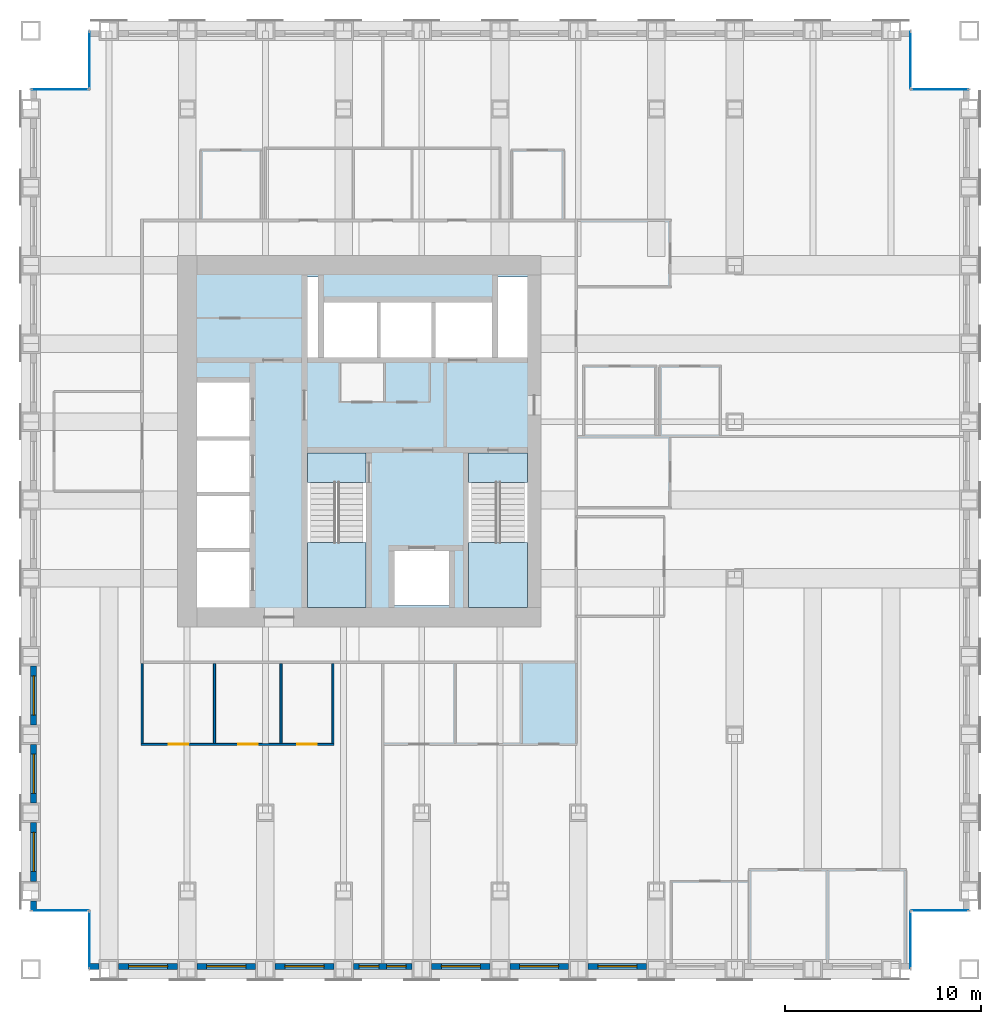
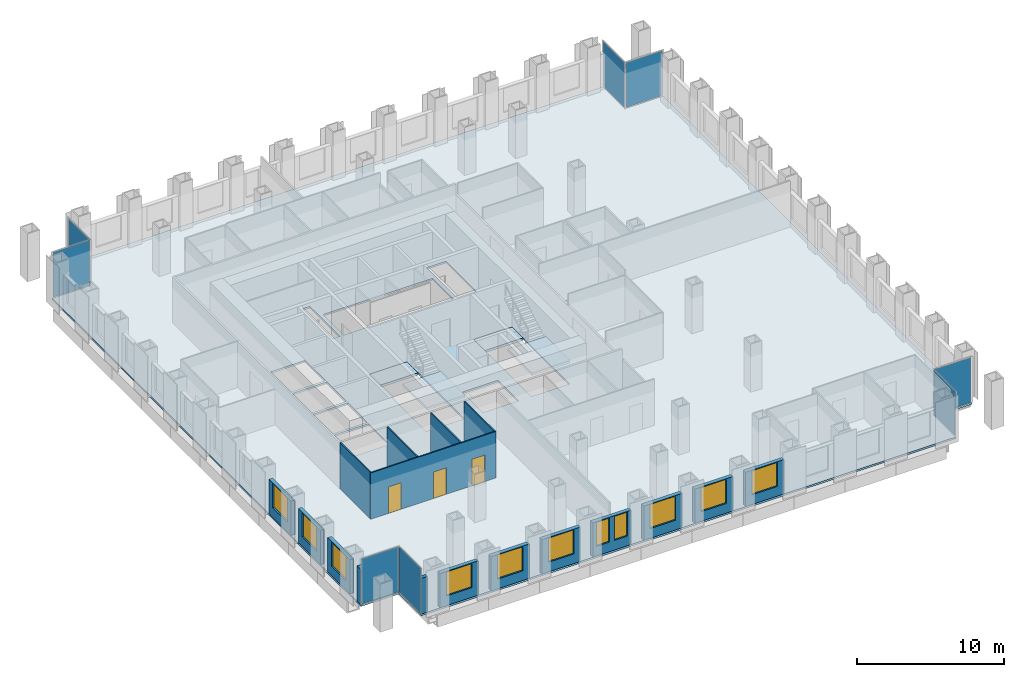
# One storey, part 10 of 16: 17 walls, 11 windows, 8 plates, 5 slabs, 3 doors, 14 openings, 10 elements without a shape of their own.
"""IFC4 building model written with IfcOpenShell, lengths in metres."""

from ifc_helpers import new_model, si_unit, direction, frame, frame_2d, origin, origin_2d, place, context, subcontext, project, spatial, polyline, rectangle, outline, extrude, material, layer, layer_set, type_object, element, fill, aggregate, save


model = new_model("IFC4")

# Units and contexts
model_context = context("Model", 3, precision=1e-05, world=origin(), true_north=direction((0.0, 1.0)))
body_context = subcontext(model_context, "Body", "Model", "MODEL_VIEW")
ifc_project = project(units=[si_unit("LENGTHUNIT", "METRE"), si_unit("AREAUNIT", "SQUARE_METRE"), si_unit("VOLUMEUNIT", "CUBIC_METRE"), si_unit("PLANEANGLEUNIT", "RADIAN"), si_unit("MASSUNIT", "GRAM", prefix="KILO")], contexts=[model_context])

# Site, building, storey
site_placement = place(None, origin())
site = spatial("IfcSite", under=ifc_project, at=site_placement, CompositionType="ELEMENT")
building_placement = place(site_placement, origin())
building = spatial("IfcBuilding", under=site, at=building_placement, Name="Rimbunsela Tower", CompositionType="ELEMENT")
storey_placement = place(building_placement, frame((0.0, 0.0, 93.39990234375)))
storey = spatial("IfcBuildingStorey", under=building, at=storey_placement, Name="L22", CompositionType="ELEMENT", Elevation=93.39990234375)

# Slab
ifc_material_1 = material(Name="Concrete fc' 35 MPa", Category="concrete")
ifc_layer_1 = layer(ifc_material_1, 0.14990234375)
ifc_layer_set_1 = layer_set([ifc_layer_1], Name="Floor slab 150")
slab_type_1 = type_object("IfcSlabType", Name="Floor slab 150", PredefinedType="FLOOR", material=ifc_layer_set_1)
slab_1_placement = place(storey_placement, frame((0.0, 0.0, -0.14990234375)))
element("IfcSlab", 1, at=slab_1_placement, inside=storey, type_object=slab_type_1, Name="Floor slab L22", PredefinedType="FLOOR", context=body_context, shape_type="SweptSolid", body=[
    extrude(outline(polyline([(13.0, 0.0), (55.0, 0.0), (55.0, 3.0), (58.0, 3.0), (58.0, 45.0), (55.0, 45.0), (55.0, 48.0), (13.0, 48.0), (13.0, 45.0), (10.0, 45.0), (10.0, 3.0), (13.0, 3.0), (13.0, 0.0)]), holes=[polyline([(21.199951171875, 21.35009765625), (18.5, 21.35009765625), (18.5, 18.5), (21.199951171875, 18.5), (21.199951171875, 21.35009765625)]), polyline([(21.199951171875, 21.550048828125), (21.199951171875, 24.199951171875), (18.5, 24.199951171875), (18.5, 21.550048828125), (21.199951171875, 21.550048828125)]), polyline([(21.199951171875, 27.050048828125), (18.5, 27.050048828125), (18.5, 24.39990234375), (21.199951171875, 24.39990234375), (21.199951171875, 27.050048828125)]), polyline([(21.199951171875, 27.25), (21.199951171875, 30.0), (18.5, 30.0), (18.5, 27.25), (21.199951171875, 27.25)]), polyline([(27.14990234375, 18.60009765625), (27.14990234375, 26.39990234375), (24.14990234375, 26.39990234375), (24.14990234375, 18.60009765625), (27.14990234375, 18.60009765625)]), polyline([(24.699951171875, 31.300048828125), (24.699951171875, 35.39990234375), (24.14990234375, 35.39990234375), (24.14990234375, 31.300048828125), (24.699951171875, 31.300048828125)]), polyline([(25.0, 34.10009765625), (25.0, 31.300048828125), (33.60009765625, 31.300048828125), (33.60009765625, 34.10009765625), (25.0, 34.10009765625)]), polyline([(31.39990234375, 21.39990234375), (28.60009765625, 21.39990234375), (28.60009765625, 18.60009765625), (31.39990234375, 18.60009765625), (31.39990234375, 21.39990234375)]), polyline([(35.39990234375, 18.60009765625), (35.39990234375, 26.39990234375), (32.39990234375, 26.39990234375), (32.39990234375, 18.60009765625), (35.39990234375, 18.60009765625)]), polyline([(35.39990234375, 31.300048828125), (35.39990234375, 35.39990234375), (33.89990234375, 35.39990234375), (33.89990234375, 31.300048828125), (35.39990234375, 31.300048828125)])]), origin(), (0.0, 0.0, 1.0), 0.14990234375),
])

# Curtain wall, plate
ifc_material_2 = material(Name="Aluminium curtain wall", Category="aluminium")
curtain_wall_type = type_object("IfcCurtainWallType", Name="Corner glazing", PredefinedType="USERDEFINED", material=ifc_material_2)
curtain_wall_1_placement = place(storey_placement, origin())
curtain_wall_1 = element("IfcCurtainWall", 2, at=curtain_wall_1_placement, inside=storey, type_object=curtain_wall_type, Name="Corner glazing L22", ObjectType="CORNER GLAZING", PredefinedType="USERDEFINED")
ifc_material_3 = material(Name="Clear double glazing", Category="glass")
ifc_layer_2 = layer(ifc_material_3, 0.028076171875)
ifc_layer_set_2 = layer_set([ifc_layer_2], Name="Glazed panel clear")
plate_type = type_object("IfcPlateType", Name="Glazed panel clear", PredefinedType="CURTAIN_PANEL", material=ifc_layer_set_2)
plate_1_placement = place(storey_placement, frame((55.0, 1.5, 0.06005859375), z_axis=(0.0, 0.0, 1.0), x_axis=(0.0, 1.0, 0.0)))
plate_1 = element("IfcPlate", 3, at=plate_1_placement, type_object=plate_type, Name="CW5 panel 1.1", PredefinedType="CURTAIN_PANEL", context=body_context, shape_type="SweptSolid", body=[
    extrude(rectangle(XDim=2.8798828125, YDim=0.028076171875, at=origin_2d()), origin(), (0.0, 0.0, 1.0), 3.72998046875),
])
aggregate(curtain_wall_1, [plate_1])

curtain_wall_2_placement = place(storey_placement, origin())
curtain_wall_2 = element("IfcCurtainWall", 4, at=curtain_wall_2_placement, inside=storey, type_object=curtain_wall_type, Name="Corner glazing L22", ObjectType="CORNER GLAZING", PredefinedType="USERDEFINED")
plate_2_placement = place(storey_placement, frame((56.5, 3.0, 0.06005859375), z_axis=(0.0, 0.0, 1.0), x_axis=(1.0, 0.0, 0.0)))
plate_2 = element("IfcPlate", 5, at=plate_2_placement, type_object=plate_type, Name="CW5 panel 1.1", PredefinedType="CURTAIN_PANEL", context=body_context, shape_type="SweptSolid", body=[
    extrude(rectangle(XDim=2.8798828125, YDim=0.028076171875, at=origin_2d()), origin(), (0.0, 0.0, 1.0), 3.72998046875),
])
aggregate(curtain_wall_2, [plate_2])

curtain_wall_3_placement = place(storey_placement, origin())
curtain_wall_3 = element("IfcCurtainWall", 6, at=curtain_wall_3_placement, inside=storey, type_object=curtain_wall_type, Name="Corner glazing L22", ObjectType="CORNER GLAZING", PredefinedType="USERDEFINED")
plate_3_placement = place(storey_placement, frame((56.5, 45.0, 0.06005859375), z_axis=(0.0, 0.0, 1.0), x_axis=(-1.0, 0.0, 0.0)))
plate_3 = element("IfcPlate", 7, at=plate_3_placement, type_object=plate_type, Name="CW5 panel 1.1", PredefinedType="CURTAIN_PANEL", context=body_context, shape_type="SweptSolid", body=[
    extrude(rectangle(XDim=2.8798828125, YDim=0.028076171875, at=origin_2d()), origin(), (0.0, 0.0, 1.0), 3.72998046875),
])
aggregate(curtain_wall_3, [plate_3])

curtain_wall_4_placement = place(storey_placement, origin())
curtain_wall_4 = element("IfcCurtainWall", 8, at=curtain_wall_4_placement, inside=storey, type_object=curtain_wall_type, Name="Corner glazing L22", ObjectType="CORNER GLAZING", PredefinedType="USERDEFINED")
plate_4_placement = place(storey_placement, frame((55.0, 46.5, 0.06005859375), z_axis=(0.0, 0.0, 1.0), x_axis=(0.0, 1.0, 0.0)))
plate_4 = element("IfcPlate", 9, at=plate_4_placement, type_object=plate_type, Name="CW5 panel 1.1", PredefinedType="CURTAIN_PANEL", context=body_context, shape_type="SweptSolid", body=[
    extrude(rectangle(XDim=2.8798828125, YDim=0.028076171875, at=origin_2d()), origin(), (0.0, 0.0, 1.0), 3.72998046875),
])
aggregate(curtain_wall_4, [plate_4])

curtain_wall_5_placement = place(storey_placement, origin())
curtain_wall_5 = element("IfcCurtainWall", 10, at=curtain_wall_5_placement, inside=storey, type_object=curtain_wall_type, Name="Corner glazing L22", ObjectType="CORNER GLAZING", PredefinedType="USERDEFINED")
plate_5_placement = place(storey_placement, frame((13.0, 46.5, 0.06005859375), z_axis=(0.0, 0.0, 1.0), x_axis=(0.0, -1.0, 0.0)))
plate_5 = element("IfcPlate", 11, at=plate_5_placement, type_object=plate_type, Name="CW5 panel 1.1", PredefinedType="CURTAIN_PANEL", context=body_context, shape_type="SweptSolid", body=[
    extrude(rectangle(XDim=2.8798828125, YDim=0.028076171875, at=origin_2d()), origin(), (0.0, 0.0, 1.0), 3.72998046875),
])
aggregate(curtain_wall_5, [plate_5])

curtain_wall_6_placement = place(storey_placement, origin())
curtain_wall_6 = element("IfcCurtainWall", 12, at=curtain_wall_6_placement, inside=storey, type_object=curtain_wall_type, Name="Corner glazing L22", ObjectType="CORNER GLAZING", PredefinedType="USERDEFINED")
plate_6_placement = place(storey_placement, frame((11.5, 45.0, 0.06005859375), z_axis=(0.0, 0.0, 1.0), x_axis=(-1.0, 0.0, 0.0)))
plate_6 = element("IfcPlate", 13, at=plate_6_placement, type_object=plate_type, Name="CW5 panel 1.1", PredefinedType="CURTAIN_PANEL", context=body_context, shape_type="SweptSolid", body=[
    extrude(rectangle(XDim=2.8798828125, YDim=0.028076171875, at=origin_2d()), origin(), (0.0, 0.0, 1.0), 3.72998046875),
])
aggregate(curtain_wall_6, [plate_6])

curtain_wall_7_placement = place(storey_placement, origin())
curtain_wall_7 = element("IfcCurtainWall", 14, at=curtain_wall_7_placement, inside=storey, type_object=curtain_wall_type, Name="Corner glazing L22", ObjectType="CORNER GLAZING", PredefinedType="USERDEFINED")
plate_7_placement = place(storey_placement, frame((11.5, 3.0, 0.06005859375), z_axis=(0.0, 0.0, 1.0), x_axis=(1.0, 0.0, 0.0)))
plate_7 = element("IfcPlate", 15, at=plate_7_placement, type_object=plate_type, Name="CW5 panel 1.1", PredefinedType="CURTAIN_PANEL", context=body_context, shape_type="SweptSolid", body=[
    extrude(rectangle(XDim=2.8798828125, YDim=0.028076171875, at=origin_2d()), origin(), (0.0, 0.0, 1.0), 3.72998046875),
])
aggregate(curtain_wall_7, [plate_7])

curtain_wall_8_placement = place(storey_placement, origin())
curtain_wall_8 = element("IfcCurtainWall", 16, at=curtain_wall_8_placement, inside=storey, type_object=curtain_wall_type, Name="Corner glazing L22", ObjectType="CORNER GLAZING", PredefinedType="USERDEFINED")
plate_8_placement = place(storey_placement, frame((13.0, 1.5, 0.06005859375), z_axis=(0.0, 0.0, 1.0), x_axis=(0.0, -1.0, 0.0)))
plate_8 = element("IfcPlate", 17, at=plate_8_placement, type_object=plate_type, Name="CW5 panel 1.1", PredefinedType="CURTAIN_PANEL", context=body_context, shape_type="SweptSolid", body=[
    extrude(rectangle(XDim=2.8798828125, YDim=0.028076171875, at=origin_2d()), origin(), (0.0, 0.0, 1.0), 3.72998046875),
])
aggregate(curtain_wall_8, [plate_8])

# Stair, slabs
ifc_material_4 = material(Name="Concrete fc' 35 MPa", Category="concrete")
stair_type = type_object("IfcStairType", Name="Exit stair 24 risers", PredefinedType="HALF_TURN_STAIR", material=ifc_material_4)
stair_1_placement = place(storey_placement, origin())
stair_1 = element("IfcStair", 18, at=stair_1_placement, inside=storey, type_object=stair_type, Name="Exit stair A L22", PredefinedType="HALF_TURN_STAIR")
ifc_material_5 = material(Name="Concrete fc' 35 MPa", Category="concrete")
ifc_layer_3 = layer(ifc_material_5, 0.199951171875)
ifc_layer_set_3 = layer_set([ifc_layer_3], Name="Stair landing 200")
slab_type_2 = type_object("IfcSlabType", Name="Stair landing 200", PredefinedType="LANDING", material=ifc_layer_set_3)
slab_2_placement = place(storey_placement, frame((0.0, 0.0, -0.199951171875)))
slab_2 = element("IfcSlab", 19, at=slab_2_placement, type_object=slab_type_2, Name="ST-A landing 1", PredefinedType="LANDING", context=body_context, shape_type="SweptSolid", body=[
    extrude(outline(polyline([(24.14990234375, 24.89990234375), (27.14990234375, 24.89990234375), (27.14990234375, 26.39990234375), (24.14990234375, 26.39990234375), (24.14990234375, 24.89990234375)])), origin(), (0.0, 0.0, 1.0), 0.199951171875),
])
slab_3_placement = place(storey_placement, frame((0.0, 0.0, 1.800048828125)))
slab_3 = element("IfcSlab", 20, at=slab_3_placement, type_object=slab_type_2, Name="ST-A landing 2", PredefinedType="LANDING", context=body_context, shape_type="SweptSolid", body=[
    extrude(outline(polyline([(24.14990234375, 18.5), (27.14990234375, 18.5), (27.14990234375, 21.820068359375), (24.14990234375, 21.820068359375), (24.14990234375, 18.5)])), origin(), (0.0, 0.0, 1.0), 0.199951171875),
])
aggregate(stair_1, [slab_2, slab_3])

stair_2_placement = place(storey_placement, origin())
stair_2 = element("IfcStair", 21, at=stair_2_placement, inside=storey, type_object=stair_type, Name="Exit stair B L22", PredefinedType="HALF_TURN_STAIR")
slab_4_placement = place(storey_placement, frame((0.0, 0.0, -0.199951171875)))
slab_4 = element("IfcSlab", 22, at=slab_4_placement, type_object=slab_type_2, Name="ST-B landing 1", PredefinedType="LANDING", context=body_context, shape_type="SweptSolid", body=[
    extrude(outline(polyline([(32.39990234375, 24.89990234375), (35.39990234375, 24.89990234375), (35.39990234375, 26.39990234375), (32.39990234375, 26.39990234375), (32.39990234375, 24.89990234375)])), origin(), (0.0, 0.0, 1.0), 0.199951171875),
])
slab_5_placement = place(storey_placement, frame((0.0, 0.0, 1.800048828125)))
slab_5 = element("IfcSlab", 23, at=slab_5_placement, type_object=slab_type_2, Name="ST-B landing 2", PredefinedType="LANDING", context=body_context, shape_type="SweptSolid", body=[
    extrude(outline(polyline([(32.39990234375, 18.5), (35.39990234375, 18.5), (35.39990234375, 21.820068359375), (32.39990234375, 21.820068359375), (32.39990234375, 18.5)])), origin(), (0.0, 0.0, 1.0), 0.199951171875),
])
aggregate(stair_2, [slab_4, slab_5])

# Wall, openings, doors
ifc_material_6 = material(Name="Gypsum board on steel studs", Category="steel")
ifc_layer_4 = layer(ifc_material_6, 0.10009765625)
ifc_layer_set_4 = layer_set([ifc_layer_4], Name="Office partition 100")
wall_type_1 = type_object("IfcWallType", Name="Office partition 100", PredefinedType="PARTITIONING", material=ifc_layer_set_4)
wall_1_placement = place(storey_placement, frame((15.64990234375, 11.5, 0.0), z_axis=(0.0, 0.0, 1.0), x_axis=(1.0, 0.0, 0.0)))
wall_1 = element("IfcWall", 24, at=wall_1_placement, inside=storey, type_object=wall_type_1, Name="Office partition", PredefinedType="PARTITIONING", context=body_context, shape_type="SweptSolid", body=[
    extrude(rectangle(XDim=9.85009765625, YDim=0.10009765625, at=frame_2d((4.925048828125, 0.0))), origin(), (0.0, 0.0, 1.0), 3.85009765625),
])
opening_1_placement = place(wall_1_placement, frame((1.39990234375, 0.0, 0.0)))
opening_1 = element("IfcOpeningElement", 25, at=opening_1_placement, cuts=wall_1, Name="Opening D17", PredefinedType="OPENING", context=body_context, shape_type="SweptSolid", body=[
    extrude(rectangle(XDim=1.0, YDim=2.199951171875, at=frame_2d((0.5, 1.10009765625))), frame((0.0, 0.06005859375, 0.0), z_axis=(0.0, -1.0, 0.0), x_axis=(1.0, 0.0, 0.0)), (0.0, 0.0, 1.0), 0.1201171875),
])
opening_2_placement = place(wall_1_placement, frame((4.949951171875, 0.0, 0.0)))
opening_2 = element("IfcOpeningElement", 26, at=opening_2_placement, cuts=wall_1, Name="Opening D16", PredefinedType="OPENING", context=body_context, shape_type="SweptSolid", body=[
    extrude(rectangle(XDim=1.0, YDim=2.199951171875, at=frame_2d((0.5, 1.10009765625))), frame((0.0, 0.06005859375, 0.0), z_axis=(0.0, -1.0, 0.0), x_axis=(1.0, 0.0, 0.0)), (0.0, 0.0, 1.0), 0.1201171875),
])
opening_3_placement = place(wall_1_placement, frame((7.97509765625, 0.0, 0.0)))
opening_3 = element("IfcOpeningElement", 27, at=opening_3_placement, cuts=wall_1, Name="Opening D16", PredefinedType="OPENING", context=body_context, shape_type="SweptSolid", body=[
    extrude(rectangle(XDim=1.0, YDim=2.199951171875, at=frame_2d((0.5, 1.10009765625))), frame((0.0, 0.06005859375, 0.0), z_axis=(0.0, -1.0, 0.0), x_axis=(1.0, 0.0, 0.0)), (0.0, 0.0, 1.0), 0.1201171875),
])
ifc_material_7 = material(Name="Glazed aluminium door", Category="aluminium")
door_type_1 = type_object("IfcDoorType", Name="Meeting room door 1000 glazed", OperationType="SINGLE_SWING_RIGHT", PredefinedType="DOOR", material=ifc_material_7)
door_1_placement = place(opening_1_placement, origin())
door_1 = element("IfcDoor", 28, at=door_1_placement, inside=storey, type_object=door_type_1, Name="Meeting room door", OperationType="SINGLE_SWING_RIGHT", OverallHeight=2.199951171875, OverallWidth=1.0, PredefinedType="DOOR", context=body_context, shape_type="SweptSolid", body=[
    extrude(rectangle(XDim=1.0, YDim=2.199951171875, at=frame_2d((0.5, 1.10009765625))), frame((0.0, 0.02490234375, 0.0), z_axis=(0.0, -1.0, 0.0), x_axis=(1.0, 0.0, 0.0)), (0.0, 0.0, 1.0), 0.050048828125),
])
fill(opening_1, door_1)
ifc_material_8 = material(Name="Timber door", Category="wood")
door_type_2 = type_object("IfcDoorType", Name="Office door 1000", OperationType="SINGLE_SWING_LEFT", PredefinedType="DOOR", material=ifc_material_8)
door_2_placement = place(opening_2_placement, origin())
door_2 = element("IfcDoor", 29, at=door_2_placement, inside=storey, type_object=door_type_2, Name="Office door", OperationType="SINGLE_SWING_LEFT", OverallHeight=2.199951171875, OverallWidth=1.0, PredefinedType="DOOR", context=body_context, shape_type="SweptSolid", body=[
    extrude(rectangle(XDim=1.0, YDim=2.199951171875, at=frame_2d((0.5, 1.10009765625))), frame((0.0, 0.02490234375, 0.0), z_axis=(0.0, -1.0, 0.0), x_axis=(1.0, 0.0, 0.0)), (0.0, 0.0, 1.0), 0.050048828125),
])
fill(opening_2, door_2)
door_3_placement = place(opening_3_placement, origin())
door_3 = element("IfcDoor", 30, at=door_3_placement, inside=storey, type_object=door_type_2, Name="Office door", OperationType="SINGLE_SWING_LEFT", OverallHeight=2.199951171875, OverallWidth=1.0, PredefinedType="DOOR", context=body_context, shape_type="SweptSolid", body=[
    extrude(rectangle(XDim=1.0, YDim=2.199951171875, at=frame_2d((0.5, 1.10009765625))), frame((0.0, 0.02490234375, 0.0), z_axis=(0.0, -1.0, 0.0), x_axis=(1.0, 0.0, 0.0)), (0.0, 0.0, 1.0), 0.050048828125),
])
fill(opening_3, door_3)

# Walls
for number, where, z_axis, x_axis, name in (
    (31, (15.699951171875, 11.550048828125, 0.0), (0.0, 0.0, 1.0), (0.0, 1.0, 0.0), "Office partition"),
    (32, (19.39990234375, 11.550048828125, 0.0), (0.0, 0.0, 1.0), (0.0, 1.0, 0.0), "Office partition"),
    (33, (22.800048828125, 11.550048828125, 0.0), (0.0, 0.0, 1.0), (0.0, 1.0, 0.0), "Office partition"),
    (34, (25.449951171875, 11.550048828125, 0.0), (0.0, 0.0, 1.0), (0.0, 1.0, 0.0), "Office partition"),
):
    element("IfcWall", number, at=place(storey_placement, frame(where, z_axis=z_axis, x_axis=x_axis)), inside=storey, type_object=wall_type_1, Name=name, PredefinedType="PARTITIONING", context=body_context, shape_type="SweptSolid", body=[
        extrude(rectangle(XDim=4.074951171875, YDim=0.10009765625, at=frame_2d((2.03759765625, 0.0))), origin(), (0.0, 0.0, 1.0), 3.85009765625),
    ])
ifc_material_9 = material(Name="Precast concrete fc' 35 MPa", Category="concrete")
ifc_layer_5 = layer(ifc_material_9, 0.300048828125)
ifc_layer_set_5 = layer_set([ifc_layer_5], Name="Precast concrete fc' 35 MPa")
wall_type_2 = type_object("IfcWallType", Name="Precast facade panel 300", PredefinedType="ELEMENTEDWALL", material=ifc_layer_set_5)
wall_2_placement = place(storey_placement, frame((13.030029296875, 0.14990234375, 0.0), z_axis=(0.0, 0.0, 1.0), x_axis=(1.0, 0.0, 0.0)))
element("IfcWall", 35, at=wall_2_placement, inside=storey, type_object=wall_type_2, Name="Facade panel S L22", PredefinedType="ELEMENTEDWALL", context=body_context, shape_type="SweptSolid", body=[
    extrude(rectangle(XDim=0.469970703125, YDim=0.300048828125, at=frame_2d((0.23486328125, 0.0))), origin(), (0.0, 0.0, 1.0), 2.9501953125),
])

# Wall, opening, window
wall_3_placement = place(storey_placement, frame((14.5, 0.14990234375, 0.0), z_axis=(0.0, 0.0, 1.0), x_axis=(1.0, 0.0, 0.0)))
wall_3 = element("IfcWall", 36, at=wall_3_placement, inside=storey, type_object=wall_type_2, Name="Facade panel S L22", PredefinedType="ELEMENTEDWALL", context=body_context, shape_type="SweptSolid", body=[
    extrude(rectangle(XDim=3.0, YDim=0.300048828125, at=frame_2d((1.5, 0.0))), origin(), (0.0, 0.0, 1.0), 2.85009765625),
])
opening_4_placement = place(wall_3_placement, frame((0.5, 0.0, 0.800048828125)))
opening_4 = element("IfcOpeningElement", 37, at=opening_4_placement, cuts=wall_3, Name="Opening W1", PredefinedType="OPENING", context=body_context, shape_type="SweptSolid", body=[
    extrude(rectangle(XDim=2.0, YDim=2.0, at=frame_2d((1.0, 1.0))), frame((0.0, 0.159912109375, 0.0), z_axis=(0.0, -1.0, 0.0), x_axis=(1.0, 0.0, 0.0)), (0.0, 0.0, 1.0), 0.320068359375),
])
ifc_material_10 = material(Name="Clear glass in aluminium frame", Category="aluminium")
window_type_1 = type_object("IfcWindowType", Name="Window W1 2000x2000", PartitioningType="DOUBLE_PANEL_VERTICAL", PredefinedType="WINDOW", material=ifc_material_10)
window_1_placement = place(opening_4_placement, origin())
window_1 = element("IfcWindow", 38, at=window_1_placement, inside=storey, type_object=window_type_1, Name="Window L22", OverallHeight=2.0, OverallWidth=2.0, PartitioningType="SINGLE_PANEL", PredefinedType="WINDOW", context=body_context, shape_type="SweptSolid", body=[
    extrude(rectangle(XDim=2.0, YDim=2.0, at=frame_2d((1.0, 1.0))), frame((0.0, 0.030029296875, 0.0), z_axis=(0.0, -1.0, 0.0), x_axis=(1.0, 0.0, 0.0)), (0.0, 0.0, 1.0), 0.06005859375),
])
fill(opening_4, window_1)

wall_4_placement = place(storey_placement, frame((18.5, 0.14990234375, 0.0), z_axis=(0.0, 0.0, 1.0), x_axis=(1.0, 0.0, 0.0)))
wall_4 = element("IfcWall", 39, at=wall_4_placement, inside=storey, type_object=wall_type_2, Name="Facade panel S L22", PredefinedType="ELEMENTEDWALL", context=body_context, shape_type="SweptSolid", body=[
    extrude(rectangle(XDim=3.0, YDim=0.300048828125, at=frame_2d((1.5, 0.0))), origin(), (0.0, 0.0, 1.0), 2.85009765625),
])
opening_5_placement = place(wall_4_placement, frame((0.5, 0.0, 0.800048828125)))
opening_5 = element("IfcOpeningElement", 40, at=opening_5_placement, cuts=wall_4, Name="Opening W1", PredefinedType="OPENING", context=body_context, shape_type="SweptSolid", body=[
    extrude(rectangle(XDim=2.0, YDim=2.0, at=frame_2d((1.0, 1.0))), frame((0.0, 0.159912109375, 0.0), z_axis=(0.0, -1.0, 0.0), x_axis=(1.0, 0.0, 0.0)), (0.0, 0.0, 1.0), 0.320068359375),
])
window_2_placement = place(opening_5_placement, origin())
window_2 = element("IfcWindow", 41, at=window_2_placement, inside=storey, type_object=window_type_1, Name="Window L22", OverallHeight=2.0, OverallWidth=2.0, PartitioningType="SINGLE_PANEL", PredefinedType="WINDOW", context=body_context, shape_type="SweptSolid", body=[
    extrude(rectangle(XDim=2.0, YDim=2.0, at=frame_2d((1.0, 1.0))), frame((0.0, 0.030029296875, 0.0), z_axis=(0.0, -1.0, 0.0), x_axis=(1.0, 0.0, 0.0)), (0.0, 0.0, 1.0), 0.06005859375),
])
fill(opening_5, window_2)

wall_5_placement = place(storey_placement, frame((22.5, 0.14990234375, 0.0), z_axis=(0.0, 0.0, 1.0), x_axis=(1.0, 0.0, 0.0)))
wall_5 = element("IfcWall", 42, at=wall_5_placement, inside=storey, type_object=wall_type_2, Name="Facade panel S L22", PredefinedType="ELEMENTEDWALL", context=body_context, shape_type="SweptSolid", body=[
    extrude(rectangle(XDim=3.0, YDim=0.300048828125, at=frame_2d((1.5, 0.0))), origin(), (0.0, 0.0, 1.0), 2.85009765625),
])
opening_6_placement = place(wall_5_placement, frame((0.5, 0.0, 0.800048828125)))
opening_6 = element("IfcOpeningElement", 43, at=opening_6_placement, cuts=wall_5, Name="Opening W1", PredefinedType="OPENING", context=body_context, shape_type="SweptSolid", body=[
    extrude(rectangle(XDim=2.0, YDim=2.0, at=frame_2d((1.0, 1.0))), frame((0.0, 0.159912109375, 0.0), z_axis=(0.0, -1.0, 0.0), x_axis=(1.0, 0.0, 0.0)), (0.0, 0.0, 1.0), 0.320068359375),
])
window_3_placement = place(opening_6_placement, origin())
window_3 = element("IfcWindow", 44, at=window_3_placement, inside=storey, type_object=window_type_1, Name="Window L22", OverallHeight=2.0, OverallWidth=2.0, PartitioningType="SINGLE_PANEL", PredefinedType="WINDOW", context=body_context, shape_type="SweptSolid", body=[
    extrude(rectangle(XDim=2.0, YDim=2.0, at=frame_2d((1.0, 1.0))), frame((0.0, 0.030029296875, 0.0), z_axis=(0.0, -1.0, 0.0), x_axis=(1.0, 0.0, 0.0)), (0.0, 0.0, 1.0), 0.06005859375),
])
fill(opening_6, window_3)

# Wall, openings, windows
wall_6_placement = place(storey_placement, frame((26.5, 0.14990234375, 0.0), z_axis=(0.0, 0.0, 1.0), x_axis=(1.0, 0.0, 0.0)))
wall_6 = element("IfcWall", 45, at=wall_6_placement, inside=storey, type_object=wall_type_2, Name="Facade panel S L22", PredefinedType="ELEMENTEDWALL", context=body_context, shape_type="SweptSolid", body=[
    extrude(rectangle(XDim=3.0, YDim=0.300048828125, at=frame_2d((1.5, 0.0))), origin(), (0.0, 0.0, 1.0), 2.85009765625),
])
opening_7_placement = place(wall_6_placement, frame((0.300048828125, 0.0, 0.800048828125)))
opening_7 = element("IfcOpeningElement", 46, at=opening_7_placement, cuts=wall_6, Name="Opening W5", PredefinedType="OPENING", context=body_context, shape_type="SweptSolid", body=[
    extrude(rectangle(XDim=1.0, YDim=2.0, at=frame_2d((0.5, 1.0))), frame((0.0, 0.159912109375, 0.0), z_axis=(0.0, -1.0, 0.0), x_axis=(1.0, 0.0, 0.0)), (0.0, 0.0, 1.0), 0.320068359375),
])
opening_8_placement = place(wall_6_placement, frame((1.699951171875, 0.0, 0.800048828125)))
opening_8 = element("IfcOpeningElement", 47, at=opening_8_placement, cuts=wall_6, Name="Opening W5", PredefinedType="OPENING", context=body_context, shape_type="SweptSolid", body=[
    extrude(rectangle(XDim=1.0, YDim=2.0, at=frame_2d((0.5, 1.0))), frame((0.0, 0.159912109375, 0.0), z_axis=(0.0, -1.0, 0.0), x_axis=(1.0, 0.0, 0.0)), (0.0, 0.0, 1.0), 0.320068359375),
])
ifc_material_11 = material(Name="Clear glass in aluminium frame", Category="aluminium")
window_type_2 = type_object("IfcWindowType", Name="Window W5 1000x2000", PartitioningType="SINGLE_PANEL", PredefinedType="WINDOW", material=ifc_material_11)
window_4_placement = place(opening_7_placement, origin())
window_4 = element("IfcWindow", 48, at=window_4_placement, inside=storey, type_object=window_type_2, Name="Window L22", OverallHeight=2.0, OverallWidth=1.0, PartitioningType="SINGLE_PANEL", PredefinedType="WINDOW", context=body_context, shape_type="SweptSolid", body=[
    extrude(rectangle(XDim=1.0, YDim=2.0, at=frame_2d((0.5, 1.0))), frame((0.0, 0.030029296875, 0.0), z_axis=(0.0, -1.0, 0.0), x_axis=(1.0, 0.0, 0.0)), (0.0, 0.0, 1.0), 0.06005859375),
])
fill(opening_7, window_4)
window_5_placement = place(opening_8_placement, origin())
window_5 = element("IfcWindow", 49, at=window_5_placement, inside=storey, type_object=window_type_2, Name="Window L22", OverallHeight=2.0, OverallWidth=1.0, PartitioningType="SINGLE_PANEL", PredefinedType="WINDOW", context=body_context, shape_type="SweptSolid", body=[
    extrude(rectangle(XDim=1.0, YDim=2.0, at=frame_2d((0.5, 1.0))), frame((0.0, 0.030029296875, 0.0), z_axis=(0.0, -1.0, 0.0), x_axis=(1.0, 0.0, 0.0)), (0.0, 0.0, 1.0), 0.06005859375),
])
fill(opening_8, window_5)

# Wall, opening, window
wall_7_placement = place(storey_placement, frame((30.5, 0.14990234375, 0.0), z_axis=(0.0, 0.0, 1.0), x_axis=(1.0, 0.0, 0.0)))
wall_7 = element("IfcWall", 50, at=wall_7_placement, inside=storey, type_object=wall_type_2, Name="Facade panel S L22", PredefinedType="ELEMENTEDWALL", context=body_context, shape_type="SweptSolid", body=[
    extrude(rectangle(XDim=3.0, YDim=0.300048828125, at=frame_2d((1.5, 0.0))), origin(), (0.0, 0.0, 1.0), 2.85009765625),
])
opening_9_placement = place(wall_7_placement, frame((0.5, 0.0, 0.800048828125)))
opening_9 = element("IfcOpeningElement", 51, at=opening_9_placement, cuts=wall_7, Name="Opening W1", PredefinedType="OPENING", context=body_context, shape_type="SweptSolid", body=[
    extrude(rectangle(XDim=2.0, YDim=2.0, at=frame_2d((1.0, 1.0))), frame((0.0, 0.159912109375, 0.0), z_axis=(0.0, -1.0, 0.0), x_axis=(1.0, 0.0, 0.0)), (0.0, 0.0, 1.0), 0.320068359375),
])
window_6_placement = place(opening_9_placement, origin())
window_6 = element("IfcWindow", 52, at=window_6_placement, inside=storey, type_object=window_type_1, Name="Window L22", OverallHeight=2.0, OverallWidth=2.0, PartitioningType="SINGLE_PANEL", PredefinedType="WINDOW", context=body_context, shape_type="SweptSolid", body=[
    extrude(rectangle(XDim=2.0, YDim=2.0, at=frame_2d((1.0, 1.0))), frame((0.0, 0.030029296875, 0.0), z_axis=(0.0, -1.0, 0.0), x_axis=(1.0, 0.0, 0.0)), (0.0, 0.0, 1.0), 0.06005859375),
])
fill(opening_9, window_6)

wall_8_placement = place(storey_placement, frame((34.5, 0.14990234375, 0.0), z_axis=(0.0, 0.0, 1.0), x_axis=(1.0, 0.0, 0.0)))
wall_8 = element("IfcWall", 53, at=wall_8_placement, inside=storey, type_object=wall_type_2, Name="Facade panel S L22", PredefinedType="ELEMENTEDWALL", context=body_context, shape_type="SweptSolid", body=[
    extrude(rectangle(XDim=3.0, YDim=0.300048828125, at=frame_2d((1.5, 0.0))), origin(), (0.0, 0.0, 1.0), 2.85009765625),
])
opening_10_placement = place(wall_8_placement, frame((0.5, 0.0, 0.800048828125)))
opening_10 = element("IfcOpeningElement", 54, at=opening_10_placement, cuts=wall_8, Name="Opening W1", PredefinedType="OPENING", context=body_context, shape_type="SweptSolid", body=[
    extrude(rectangle(XDim=2.0, YDim=2.0, at=frame_2d((1.0, 1.0))), frame((0.0, 0.159912109375, 0.0), z_axis=(0.0, -1.0, 0.0), x_axis=(1.0, 0.0, 0.0)), (0.0, 0.0, 1.0), 0.320068359375),
])
window_7_placement = place(opening_10_placement, origin())
window_7 = element("IfcWindow", 55, at=window_7_placement, inside=storey, type_object=window_type_1, Name="Window L22", OverallHeight=2.0, OverallWidth=2.0, PartitioningType="SINGLE_PANEL", PredefinedType="WINDOW", context=body_context, shape_type="SweptSolid", body=[
    extrude(rectangle(XDim=2.0, YDim=2.0, at=frame_2d((1.0, 1.0))), frame((0.0, 0.030029296875, 0.0), z_axis=(0.0, -1.0, 0.0), x_axis=(1.0, 0.0, 0.0)), (0.0, 0.0, 1.0), 0.06005859375),
])
fill(opening_10, window_7)

wall_9_placement = place(storey_placement, frame((38.5, 0.14990234375, 0.0), z_axis=(0.0, 0.0, 1.0), x_axis=(1.0, 0.0, 0.0)))
wall_9 = element("IfcWall", 56, at=wall_9_placement, inside=storey, type_object=wall_type_2, Name="Facade panel S L22", PredefinedType="ELEMENTEDWALL", context=body_context, shape_type="SweptSolid", body=[
    extrude(rectangle(XDim=3.0, YDim=0.300048828125, at=frame_2d((1.5, 0.0))), origin(), (0.0, 0.0, 1.0), 2.85009765625),
])
opening_11_placement = place(wall_9_placement, frame((0.5, 0.0, 0.800048828125)))
opening_11 = element("IfcOpeningElement", 57, at=opening_11_placement, cuts=wall_9, Name="Opening W1", PredefinedType="OPENING", context=body_context, shape_type="SweptSolid", body=[
    extrude(rectangle(XDim=2.0, YDim=2.0, at=frame_2d((1.0, 1.0))), frame((0.0, 0.159912109375, 0.0), z_axis=(0.0, -1.0, 0.0), x_axis=(1.0, 0.0, 0.0)), (0.0, 0.0, 1.0), 0.320068359375),
])
window_8_placement = place(opening_11_placement, origin())
window_8 = element("IfcWindow", 58, at=window_8_placement, inside=storey, type_object=window_type_1, Name="Window L22", OverallHeight=2.0, OverallWidth=2.0, PartitioningType="SINGLE_PANEL", PredefinedType="WINDOW", context=body_context, shape_type="SweptSolid", body=[
    extrude(rectangle(XDim=2.0, YDim=2.0, at=frame_2d((1.0, 1.0))), frame((0.0, 0.030029296875, 0.0), z_axis=(0.0, -1.0, 0.0), x_axis=(1.0, 0.0, 0.0)), (0.0, 0.0, 1.0), 0.06005859375),
])
fill(opening_11, window_8)

# Wall
wall_10_placement = place(storey_placement, frame((10.14990234375, 3.5, 0.0), z_axis=(0.0, 0.0, 1.0), x_axis=(0.0, -1.0, 0.0)))
element("IfcWall", 59, at=wall_10_placement, inside=storey, type_object=wall_type_2, Name="Facade panel W L22", PredefinedType="ELEMENTEDWALL", context=body_context, shape_type="SweptSolid", body=[
    extrude(rectangle(XDim=0.469970703125, YDim=0.300048828125, at=frame_2d((0.23486328125, 0.0))), origin(), (0.0, 0.0, 1.0), 2.9501953125),
])

# Wall, opening, window
wall_11_placement = place(storey_placement, frame((10.14990234375, 7.5, 0.0), z_axis=(0.0, 0.0, 1.0), x_axis=(0.0, -1.0, 0.0)))
wall_11 = element("IfcWall", 60, at=wall_11_placement, inside=storey, type_object=wall_type_2, Name="Facade panel W L22", PredefinedType="ELEMENTEDWALL", context=body_context, shape_type="SweptSolid", body=[
    extrude(rectangle(XDim=3.0, YDim=0.300048828125, at=frame_2d((1.5, 0.0))), origin(), (0.0, 0.0, 1.0), 2.85009765625),
])
opening_12_placement = place(wall_11_placement, frame((0.5, 0.0, 0.800048828125)))
opening_12 = element("IfcOpeningElement", 61, at=opening_12_placement, cuts=wall_11, Name="Opening W1", PredefinedType="OPENING", context=body_context, shape_type="SweptSolid", body=[
    extrude(rectangle(XDim=2.0, YDim=2.0, at=frame_2d((1.0, 1.0))), frame((0.0, 0.159912109375, 0.0), z_axis=(0.0, -1.0, 0.0), x_axis=(1.0, 0.0, 0.0)), (0.0, 0.0, 1.0), 0.320068359375),
])
window_9_placement = place(opening_12_placement, origin())
window_9 = element("IfcWindow", 62, at=window_9_placement, inside=storey, type_object=window_type_1, Name="Window L22", OverallHeight=2.0, OverallWidth=2.0, PartitioningType="SINGLE_PANEL", PredefinedType="WINDOW", context=body_context, shape_type="SweptSolid", body=[
    extrude(rectangle(XDim=2.0, YDim=2.0, at=frame_2d((1.0, 1.0))), frame((0.0, 0.030029296875, 0.0), z_axis=(0.0, -1.0, 0.0), x_axis=(1.0, 0.0, 0.0)), (0.0, 0.0, 1.0), 0.06005859375),
])
fill(opening_12, window_9)

wall_12_placement = place(storey_placement, frame((10.14990234375, 11.5, 0.0), z_axis=(0.0, 0.0, 1.0), x_axis=(0.0, -1.0, 0.0)))
wall_12 = element("IfcWall", 63, at=wall_12_placement, inside=storey, type_object=wall_type_2, Name="Facade panel W L22", PredefinedType="ELEMENTEDWALL", context=body_context, shape_type="SweptSolid", body=[
    extrude(rectangle(XDim=3.0, YDim=0.300048828125, at=frame_2d((1.5, 0.0))), origin(), (0.0, 0.0, 1.0), 2.85009765625),
])
opening_13_placement = place(wall_12_placement, frame((0.5, 0.0, 0.800048828125)))
opening_13 = element("IfcOpeningElement", 64, at=opening_13_placement, cuts=wall_12, Name="Opening W1", PredefinedType="OPENING", context=body_context, shape_type="SweptSolid", body=[
    extrude(rectangle(XDim=2.0, YDim=2.0, at=frame_2d((1.0, 1.0))), frame((0.0, 0.159912109375, 0.0), z_axis=(0.0, -1.0, 0.0), x_axis=(1.0, 0.0, 0.0)), (0.0, 0.0, 1.0), 0.320068359375),
])
window_10_placement = place(opening_13_placement, origin())
window_10 = element("IfcWindow", 65, at=window_10_placement, inside=storey, type_object=window_type_1, Name="Window L22", OverallHeight=2.0, OverallWidth=2.0, PartitioningType="SINGLE_PANEL", PredefinedType="WINDOW", context=body_context, shape_type="SweptSolid", body=[
    extrude(rectangle(XDim=2.0, YDim=2.0, at=frame_2d((1.0, 1.0))), frame((0.0, 0.030029296875, 0.0), z_axis=(0.0, -1.0, 0.0), x_axis=(1.0, 0.0, 0.0)), (0.0, 0.0, 1.0), 0.06005859375),
])
fill(opening_13, window_10)

wall_13_placement = place(storey_placement, frame((10.14990234375, 15.5, 0.0), z_axis=(0.0, 0.0, 1.0), x_axis=(0.0, -1.0, 0.0)))
wall_13 = element("IfcWall", 66, at=wall_13_placement, inside=storey, type_object=wall_type_2, Name="Facade panel W L22", PredefinedType="ELEMENTEDWALL", context=body_context, shape_type="SweptSolid", body=[
    extrude(rectangle(XDim=3.0, YDim=0.300048828125, at=frame_2d((1.5, 0.0))), origin(), (0.0, 0.0, 1.0), 2.85009765625),
])
opening_14_placement = place(wall_13_placement, frame((0.5, 0.0, 0.800048828125)))
opening_14 = element("IfcOpeningElement", 67, at=opening_14_placement, cuts=wall_13, Name="Opening W1", PredefinedType="OPENING", context=body_context, shape_type="SweptSolid", body=[
    extrude(rectangle(XDim=2.0, YDim=2.0, at=frame_2d((1.0, 1.0))), frame((0.0, 0.159912109375, 0.0), z_axis=(0.0, -1.0, 0.0), x_axis=(1.0, 0.0, 0.0)), (0.0, 0.0, 1.0), 0.320068359375),
])
window_11_placement = place(opening_14_placement, origin())
window_11 = element("IfcWindow", 68, at=window_11_placement, inside=storey, type_object=window_type_1, Name="Window L22", OverallHeight=2.0, OverallWidth=2.0, PartitioningType="SINGLE_PANEL", PredefinedType="WINDOW", context=body_context, shape_type="SweptSolid", body=[
    extrude(rectangle(XDim=2.0, YDim=2.0, at=frame_2d((1.0, 1.0))), frame((0.0, 0.030029296875, 0.0), z_axis=(0.0, -1.0, 0.0), x_axis=(1.0, 0.0, 0.0)), (0.0, 0.0, 1.0), 0.06005859375),
])
fill(opening_14, window_11)

save(model, "model.ifc")
